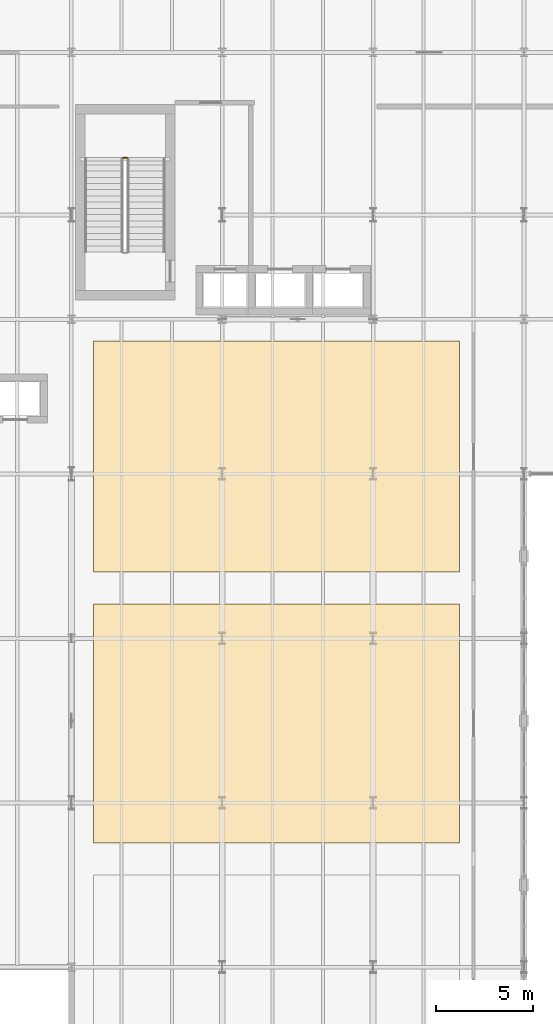
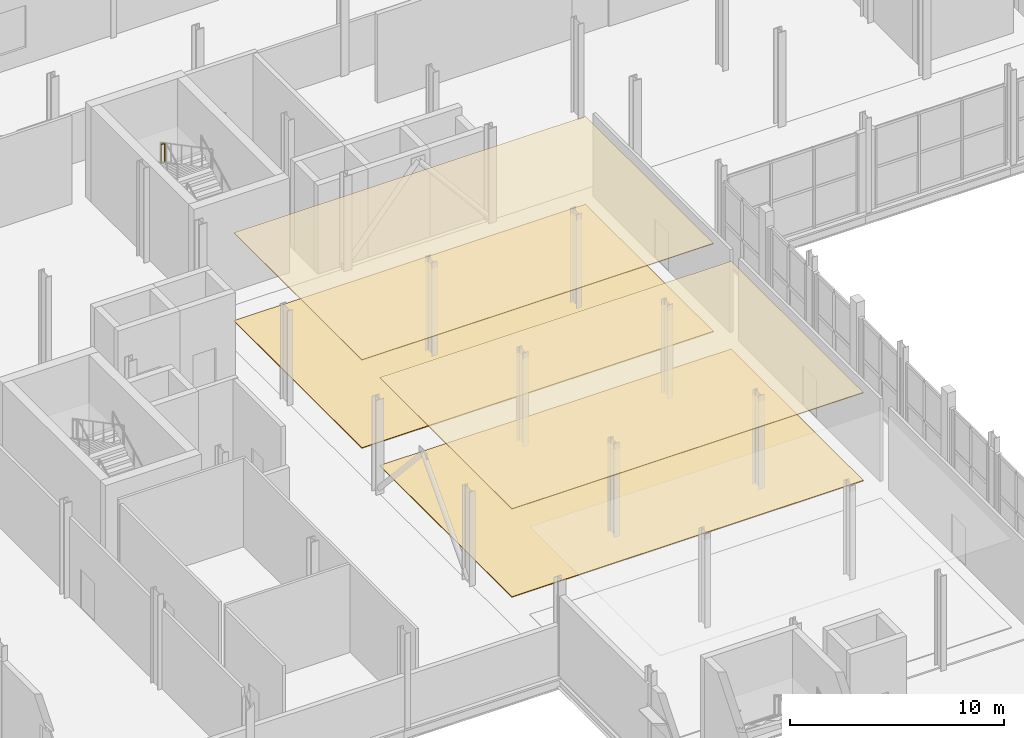
# One storey, part 71 of 78: 4 coverings, 1 railing.
"""IFC4 building model written with IfcOpenShell, lengths in metres."""

from ifc_helpers import new_model, si_unit, direction, frame, origin, origin_2d, place, context, subcontext, project, spatial, polyline, circle, outline, extrude, material, layer, layer_set, type_object, element, save


model = new_model("IFC4")

# Units and contexts
model_context = context("Model", 3, precision=1e-05, world=origin(), true_north=direction((0.0, 1.0)))
body_context = subcontext(model_context, "Body", "Model", "MODEL_VIEW")
ifc_project = project(units=[si_unit("LENGTHUNIT", "METRE"), si_unit("AREAUNIT", "SQUARE_METRE"), si_unit("VOLUMEUNIT", "CUBIC_METRE"), si_unit("PLANEANGLEUNIT", "RADIAN"), si_unit("MASSUNIT", "GRAM", prefix="KILO")], contexts=[model_context])

# Site, building, storey
site_placement = place(None, origin())
site = spatial("IfcSite", under=ifc_project, at=site_placement, CompositionType="ELEMENT")
building_placement = place(site_placement, origin())
building = spatial("IfcBuilding", under=site, at=building_placement, Name="Sefraquen Railside Congress Hotel", CompositionType="ELEMENT")
storey_placement = place(building_placement, frame((0.0, 0.0, 6.0)))
storey = spatial("IfcBuildingStorey", under=building, at=storey_placement, Name="L01", CompositionType="ELEMENT", Elevation=6.0)

# Coverings
ifc_material_1 = material(Name="Acoustic mineral and carved plaster ceiling", Category="gypsum")
ifc_layer_1 = layer(ifc_material_1, 0.0400390625)
ifc_layer_set_1 = layer_set([ifc_layer_1], Name="Acoustic mineral and carved plaster ceiling")
covering_type_1 = type_object("IfcCoveringType", Name="TCV-CEIL-01", PredefinedType="CEILING", material=ifc_layer_set_1)
covering_1_placement = place(storey_placement, frame((0.0, 0.0, 5.010009765625)))
element("IfcCovering", 1, at=covering_1_placement, inside=storey, type_object=covering_type_1, Name="Conference Suite 02 acoustic ceiling finish", PredefinedType="CEILING", context=body_context, shape_type="SweptSolid", body=[
    extrude(outline(polyline([(26.330078125, 68.929931640625), (45.27001953125, 68.929931640625), (45.27001953125, 81.27001953125), (26.330078125, 81.27001953125), (26.330078125, 68.929931640625)])), origin(), (0.0, 0.0, 1.0), 0.0400390625),
])
covering_2_placement = place(storey_placement, frame((0.0, 0.0, 5.010009765625)))
element("IfcCovering", 2, at=covering_2_placement, inside=storey, type_object=covering_type_1, Name="Conference Suite 03 acoustic ceiling finish", PredefinedType="CEILING", context=body_context, shape_type="SweptSolid", body=[
    extrude(outline(polyline([(26.330078125, 82.929931640625), (45.27001953125, 82.929931640625), (45.27001953125, 94.8701171875), (26.330078125, 94.8701171875), (26.330078125, 82.929931640625)])), origin(), (0.0, 0.0, 1.0), 0.0400390625),
])
ifc_material_2 = material(Name="Moroccan zellige ceramic and honed stone flooring", Category="masonry")
ifc_layer_2 = layer(ifc_material_2, 0.0400390625)
ifc_layer_set_2 = layer_set([ifc_layer_2], Name="Moroccan zellige ceramic and honed stone flooring")
covering_type_2 = type_object("IfcCoveringType", Name="TCV-FLR-01", PredefinedType="FLOORING", material=ifc_layer_set_2)
covering_3_placement = place(storey_placement, origin())
element("IfcCovering", 3, at=covering_3_placement, inside=storey, type_object=covering_type_2, Name="Conference Suite 02 architectural floor finish", PredefinedType="FLOORING", context=body_context, shape_type="SweptSolid", body=[
    extrude(outline(polyline([(26.330078125, 68.929931640625), (45.27001953125, 68.929931640625), (45.27001953125, 81.27001953125), (26.330078125, 81.27001953125), (26.330078125, 68.929931640625)])), origin(), (0.0, 0.0, 1.0), 0.0400390625),
])
covering_4_placement = place(storey_placement, origin())
element("IfcCovering", 4, at=covering_4_placement, inside=storey, type_object=covering_type_2, Name="Conference Suite 03 architectural floor finish", PredefinedType="FLOORING", context=body_context, shape_type="SweptSolid", body=[
    extrude(outline(polyline([(26.330078125, 82.929931640625), (45.27001953125, 82.929931640625), (45.27001953125, 94.8701171875), (26.330078125, 94.8701171875), (26.330078125, 82.929931640625)])), origin(), (0.0, 0.0, 1.0), 0.0400390625),
])

# Railing
ifc_material_3 = material(Name="Patinated wrought architectural bronze", Category="metal")
railing_type = type_object("IfcRailingType", Name="TRL-BAL-110", PredefinedType="BALUSTRADE", material=ifc_material_3)
railing_placement = place(storey_placement, frame((28.080078125, 104.360107421875, 2.699951171875)))
element("IfcRailing", 5, at=railing_placement, inside=storey, type_object=railing_type, Name="L01 ST-H02 stair guard 2", PredefinedType="BALUSTRADE", context=body_context, shape_type="SweptSolid", body=[
    extrude(circle(Radius=0.02392578125, at=origin_2d()), frame((0.0, 0.0, 1.076171875), z_axis=(-1.0, 0.0, 0.0), x_axis=(0.0, -1.0, 0.0)), (0.0, 0.0, 1.0), 0.2001953125),
    extrude(circle(Radius=0.02099609375, at=origin_2d()), origin(), (0.0, 0.0, 1.0), 1.052001953125),
    extrude(circle(Radius=0.02099609375, at=origin_2d()), frame((-0.2001953125, 0.0, 0.0)), (0.0, 0.0, 1.0), 1.052001953125),
])

save(model, "model.ifc")
